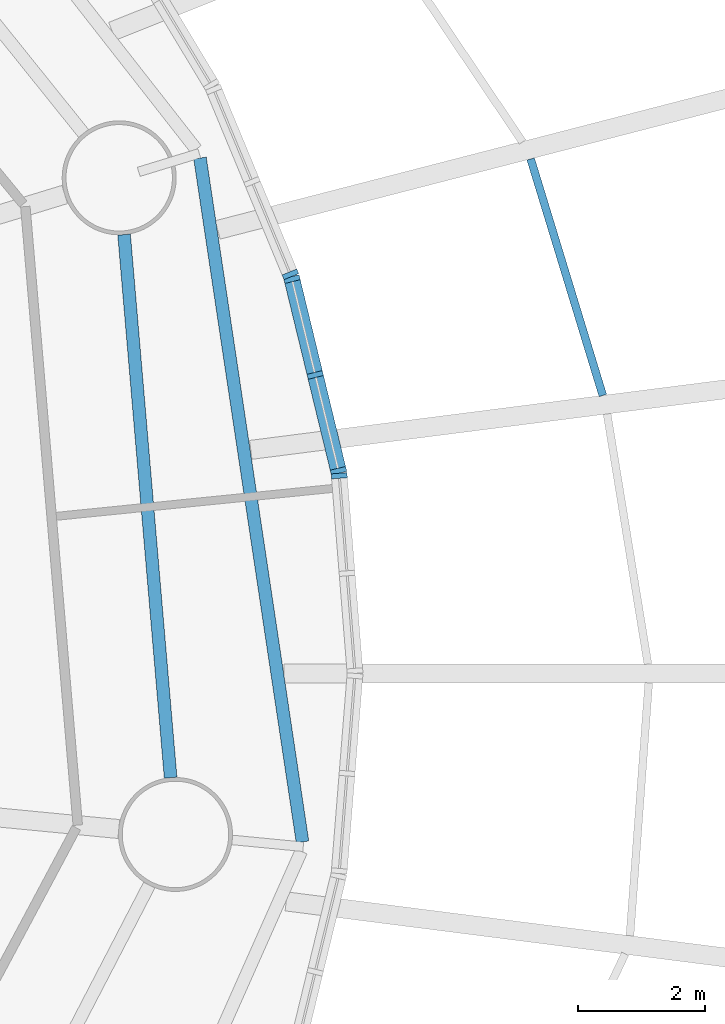
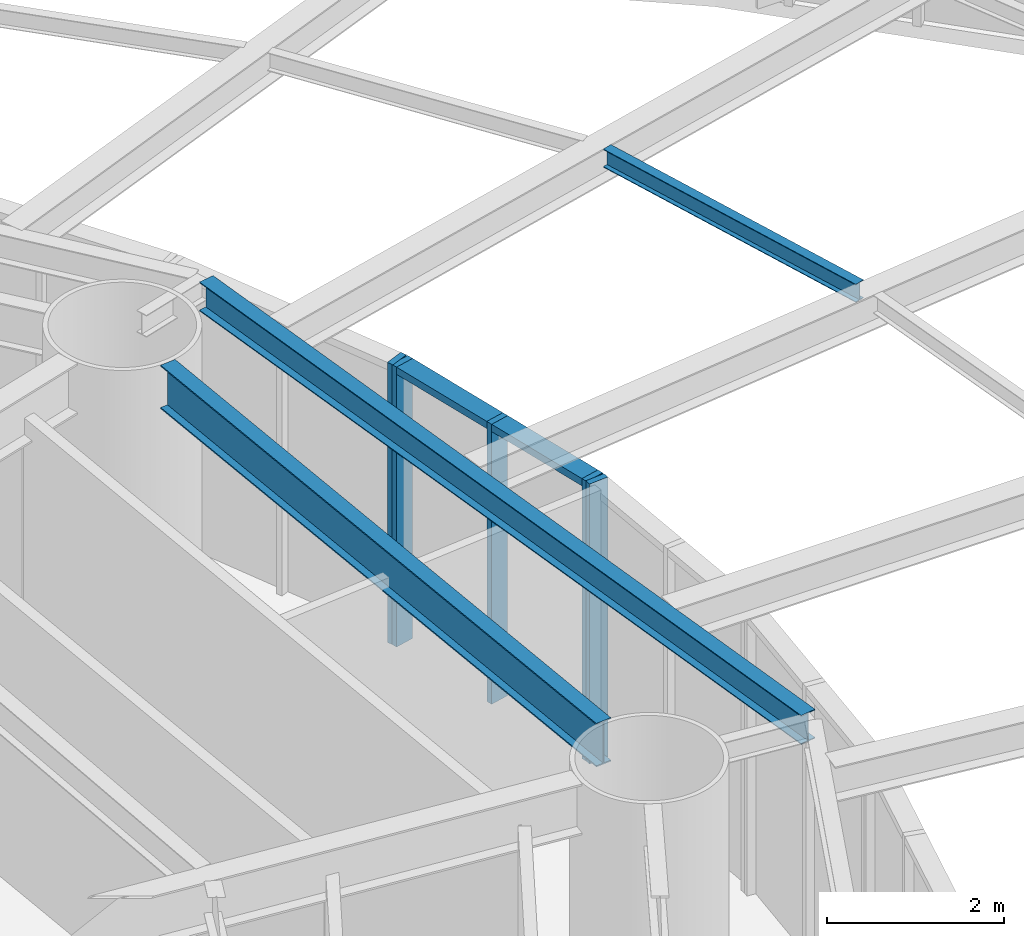
# One storey, part 7 of 23: 7 members, 3 beams, 3 elements without a shape of their own.
"""IFC4 building model written with IfcOpenShell, lengths in metres."""

import ifcopenshell
import ifcopenshell.guid

model = None  # the IFC model being written
_history = None  # IfcOwnerHistory: only IFC2X3 demands one
_inside = {}  # id of a spatial element -> (the spatial element, [elements in it])
_under = {}  # id of a project, library or spatial element -> (it, [spatial elements below it])
_declared = {}  # id of a project -> (the project, [libraries it declares])
_typed = {}  # id of a type object -> (the type object, [elements of that type])
_made_of = {}  # id of a material, layer set ... -> (it, [elements and type objects made of it])


def new_model(schema):
    """Start an empty IFC model of exactly this schema.

    Asked for "IFC4X3", IfcOpenShell would pick the latest addendum, in which some entities
    have other attributes; the version numbers below select the first issue.
    IFC2X3 requires an IfcOwnerHistory on every rooted entity: one is made here for all.
    """
    global model, _history
    if schema == "IFC4X3":
        model = ifcopenshell.file(schema_version=(4, 3, 0, 0))
    else:
        model = ifcopenshell.file(schema=schema)
    _inside.clear()
    _under.clear()
    _declared.clear()
    _typed.clear()
    _made_of.clear()
    _history = None
    if model.schema == "IFC2X3":
        org = make("IfcOrganization", Name="unknown")
        user = make(
            "IfcPersonAndOrganization",
            ThePerson=make("IfcPerson", FamilyName="unknown"),
            TheOrganization=org,
        )
        app = make(
            "IfcApplication",
            ApplicationDeveloper=org,
            Version="unknown",
            ApplicationFullName="unknown",
            ApplicationIdentifier="unknown",
        )
        _history = make(
            "IfcOwnerHistory",
            OwningUser=user,
            OwningApplication=app,
            ChangeAction="ADDED",
            CreationDate=0,
        )
    return model


def make(cls, **values):
    """One entity of the class cls with the attributes given. An attribute that is None is left unset."""
    return model.create_entity(
        cls, **{name: value for name, value in values.items() if value is not None}
    )


def rooted(cls, **values):
    """An entity with a GlobalId (a new one), such as an element, a storey or a relation."""
    return make(cls, GlobalId=ifcopenshell.guid.new(), OwnerHistory=_history, **values)


def si_unit(unit_type, name, prefix=None):
    """IfcSIUnit, for example si_unit("LENGTHUNIT", "METRE", prefix="MILLI")."""
    return make("IfcSIUnit", UnitType=unit_type, Prefix=prefix, Name=name)


def assignment(units):
    """IfcUnitAssignment: the units of a project."""
    return None if units is None else make("IfcUnitAssignment", Units=units)


def point(xyz):
    """IfcCartesianPoint."""
    return None if xyz is None else make("IfcCartesianPoint", Coordinates=xyz)


def direction(xyz):
    """IfcDirection."""
    return None if xyz is None else make("IfcDirection", DirectionRatios=xyz)


def frame(location, z_axis=None, x_axis=None):
    """IfcAxis2Placement3D, a coordinate frame: its origin and axes. An axis left out is left unset."""
    return make(
        "IfcAxis2Placement3D",
        Location=point(location),
        Axis=direction(z_axis),
        RefDirection=direction(x_axis),
    )


def frame_2d(location, x_axis=None):
    """IfcAxis2Placement2D, a coordinate frame in the plane: its origin and x axis."""
    return make(
        "IfcAxis2Placement2D", Location=point(location), RefDirection=direction(x_axis)
    )


def origin():
    """The frame at (0, 0, 0) with its axes left unset."""
    return frame((0.0, 0.0, 0.0))


def origin_2d():
    """The frame at (0, 0) in the plane with its x axis left unset."""
    return frame_2d((0.0, 0.0))


def place(relative_to, where):
    """IfcLocalPlacement: puts the frame where relative to a parent placement (None: the world)."""
    return make(
        "IfcLocalPlacement", PlacementRelTo=relative_to, RelativePlacement=where
    )


def context(
    kind, dimensions, precision=None, world=None, true_north=None, identifier=None
):
    """IfcGeometricRepresentationContext, for example the 3D "Model" context."""
    return make(
        "IfcGeometricRepresentationContext",
        ContextIdentifier=identifier,
        ContextType=kind,
        CoordinateSpaceDimension=dimensions,
        Precision=precision,
        WorldCoordinateSystem=world,
        TrueNorth=true_north,
    )


def subcontext(parent, identifier, kind, view, scale=None):
    """IfcGeometricRepresentationSubContext, for example "Body" below "Model"."""
    return make(
        "IfcGeometricRepresentationSubContext",
        ContextIdentifier=identifier,
        ContextType=kind,
        ParentContext=parent,
        TargetScale=scale,
        TargetView=view,
    )


def project(units=None, contexts=None):
    """IfcProject with its units and contexts."""
    return rooted(
        "IfcProject",
        Name="project",
        RepresentationContexts=contexts,
        UnitsInContext=assignment(units),
    )


def spatial(cls, under=None, at=None, **own):
    """A site, building, storey or space (cls), placed at a placement, below another one or the project."""
    s = rooted(cls, ObjectPlacement=at, **own)
    if under is not None:
        _under.setdefault(under.id(), (under, []))[1].append(s)
    return s


def profile(cls, at=None, kind="AREA", **sizes):
    """A parametric profile (cls). Its sizes go by their IFC names, for example OverallWidth=200.0."""
    return make(cls, ProfileType=kind, Position=at, **sizes)


def rectangle(**sizes):
    """IfcRectangleProfileDef."""
    return profile("IfcRectangleProfileDef", **sizes)


def i_section(**sizes):
    """IfcIShapeProfileDef."""
    return profile("IfcIShapeProfileDef", **sizes)


def extrude(swept, where, along, depth):
    """IfcExtrudedAreaSolid: the profile swept, set in the frame where, extruded along a direction by depth."""
    return make(
        "IfcExtrudedAreaSolid",
        SweptArea=swept,
        Position=where,
        ExtrudedDirection=direction(along),
        Depth=depth,
    )


def shape(context_of_items, identifier, shape_type, items):
    """IfcShapeRepresentation: the items that make up one representation, for example the "Body"."""
    return make(
        "IfcShapeRepresentation",
        ContextOfItems=context_of_items,
        RepresentationIdentifier=identifier,
        RepresentationType=shape_type,
        Items=items,
    )


def material(Name=None, Category=None):
    """IfcMaterial."""
    return make("IfcMaterial", Name=Name, Category=Category)


def material_profile(
    of_material, cross_section, Name=None, Category=None, Priority=None
):
    """IfcMaterialProfile: a cross section and its material."""
    return make(
        "IfcMaterialProfile",
        Name=Name,
        Material=of_material,
        Profile=cross_section,
        Priority=Priority,
        Category=Category,
    )


def profile_set(profiles, Name=None, composite=None):
    """IfcMaterialProfileSet."""
    return make(
        "IfcMaterialProfileSet",
        Name=Name,
        MaterialProfiles=profiles,
        CompositeProfile=composite,
    )


def made_of(thing, what):
    """Note that an element or type object is made of a material, layer set ...; save() writes the relation."""
    if what is not None:
        _made_of.setdefault(what.id(), (what, []))[1].append(thing)
    return thing


def type_object(cls, material=None, **own):
    """A type object (cls), such as IfcWallType, which elements share."""
    return made_of(rooted(cls, **own), material)


def element(
    cls,
    number,
    at=None,
    inside=None,
    cuts=None,
    type_object=None,
    material=None,
    context=None,
    identifier="Body",
    shape_type=None,
    held_by="IfcProductDefinitionShape",
    body=None,
    shapes=None,
    **own,
):
    """One element of the class cls, such as IfcWall. Its Tag is "e" and its number.

    at: its placement. inside: the storey or other place that contains it. cuts: it is an
    opening in that element (IfcRelVoidsElement). A single representation is given by context,
    identifier, shape_type and body (its items); several are given by shapes. held_by: the class
    of the entity that holds the representations. save() writes the other relations.
    """
    e = rooted(cls, Tag="e%d" % number, ObjectPlacement=at, **own)
    if body is not None:
        shapes = [shape(context, identifier, shape_type, body)]
    if shapes is not None:
        e.Representation = make(held_by, Representations=shapes)
    if inside is not None:
        _inside.setdefault(inside.id(), (inside, []))[1].append(e)
    if cuts is not None:
        rooted(
            "IfcRelVoidsElement", RelatingBuildingElement=cuts, RelatedOpeningElement=e
        )
    if type_object is not None:
        _typed.setdefault(type_object.id(), (type_object, []))[1].append(e)
    return made_of(e, material)


def aggregate(whole, parts):
    """IfcRelAggregates: a whole, such as a stair, and the parts it consists of."""
    return rooted("IfcRelAggregates", RelatingObject=whole, RelatedObjects=parts)


def save(model, path):
    """Write the relations noted so far, then the file.

    IfcRelAggregates (storeys below a building ...), IfcRelContainedInSpatialStructure (elements
    in a storey), IfcRelDefinesByType, IfcRelAssociatesMaterial and IfcRelDeclares: one each for
    every whole, place, type object, material and project.
    """
    for whole, parts in _under.values():
        aggregate(whole, parts)
    for where, things in _inside.values():
        rooted(
            "IfcRelContainedInSpatialStructure",
            RelatedElements=things,
            RelatingStructure=where,
        )
    for kind, things in _typed.values():
        rooted("IfcRelDefinesByType", RelatedObjects=things, RelatingType=kind)
    for what, things in _made_of.values():
        rooted("IfcRelAssociatesMaterial", RelatedObjects=things, RelatingMaterial=what)
    for by, libraries in _declared.values():
        rooted("IfcRelDeclares", RelatingContext=by, RelatedDefinitions=libraries)
    model.write(path)


model = new_model("IFC4")

# Units and contexts
model_context = context("Model", 3, precision=1e-05, world=origin(), true_north=direction((0.0, 1.0)))
body_context = subcontext(model_context, "Body", "Model", "MODEL_VIEW")
ifc_project = project(units=[si_unit("LENGTHUNIT", "METRE"), si_unit("AREAUNIT", "SQUARE_METRE"), si_unit("VOLUMEUNIT", "CUBIC_METRE"), si_unit("PLANEANGLEUNIT", "RADIAN"), si_unit("MASSUNIT", "GRAM", prefix="KILO")], contexts=[model_context])

# Site, building, storey
site_placement = place(None, origin())
site = spatial("IfcSite", under=ifc_project, at=site_placement, CompositionType="ELEMENT")
building_placement = place(site_placement, origin())
building = spatial("IfcBuilding", under=site, at=building_placement, Name="Vermilion Reach Broadcast Tower", CompositionType="ELEMENT")
storey_placement = place(building_placement, frame((0.0, 0.0, 31.5)))
storey = spatial("IfcBuildingStorey", under=building, at=storey_placement, Name="L04", CompositionType="ELEMENT", Elevation=31.5)

# Curtain wall, member
ifc_material_1 = material(Name="Low-e laminated clear glass in aluminium frame", Category="aluminium")
curtain_wall_type = type_object("IfcCurtainWallType", Name="Drum wall curtain wall", PredefinedType="NOTDEFINED", material=ifc_material_1)
placement = place(storey_placement, origin())
curtain_wall_1 = element("IfcCurtainWall", 1, at=placement, inside=storey, type_object=curtain_wall_type, Name="Drum wall L04 06", PredefinedType="NOTDEFINED")
ifc_material_2 = material(Name="Anodised aluminium", Category="aluminium")
ifc_material_profile_1 = material_profile(ifc_material_2, rectangle(XDim=0.25, YDim=0.080078125, at=origin_2d()), Name="Drum wall mullion 80 x 250")
ifc_profile_set_1 = profile_set([ifc_material_profile_1], Name="Anodised aluminium")
member_type_1 = type_object("IfcMemberType", Name="Drum wall mullion 80 x 250", PredefinedType="MULLION", material=ifc_profile_set_1)
member_1_placement = place(storey_placement, frame((22.2783203125, 6.300537109375, 0.0), z_axis=(0.0, 0.0, 1.0), x_axis=(0.92387542808, 0.382693341189, 0.0)))
member_1 = element("IfcMember", 2, at=member_1_placement, type_object=member_type_1, Name="Drum wall mullion L04 06.3", PredefinedType="MULLION", context=body_context, shape_type="SweptSolid", body=[
    extrude(rectangle(XDim=0.25, YDim=0.080078125, at=origin_2d()), origin(), (0.0, 0.0, 1.0), 3.862060546875),
])
aggregate(curtain_wall_1, [member_1])

# Curtain wall, members
curtain_wall_2 = element("IfcCurtainWall", 3, at=placement, inside=storey, type_object=curtain_wall_type, Name="Drum wall L04 07", PredefinedType="NOTDEFINED")
member_2_placement = place(storey_placement, frame((22.302978515625, 6.224609375, 0.0), z_axis=(0.0, 0.0, 1.0), x_axis=(0.971782962258, 0.235876820108, 0.0)))
member_2 = element("IfcMember", 4, at=member_2_placement, type_object=member_type_1, Name="Drum wall mullion L04 07.1", PredefinedType="MULLION", context=body_context, shape_type="SweptSolid", body=[
    extrude(rectangle(XDim=0.25, YDim=0.080078125, at=origin_2d()), origin(), (0.0, 0.0, 1.0), 3.862060546875),
])
member_3_placement = place(storey_placement, frame((22.670166015625, 4.711669921875, 0.0), z_axis=(0.0, 0.0, 1.0), x_axis=(0.971782962258, 0.235876820108, 0.0)))
member_3 = element("IfcMember", 5, at=member_3_placement, type_object=member_type_1, Name="Drum wall mullion L04 07.2", PredefinedType="MULLION", context=body_context, shape_type="SweptSolid", body=[
    extrude(rectangle(XDim=0.25, YDim=0.080078125, at=origin_2d()), origin(), (0.0, 0.0, 1.0), 3.862060546875),
])
member_4_placement = place(storey_placement, frame((23.03759765625, 3.198486328125, 0.0), z_axis=(0.0, 0.0, 1.0), x_axis=(0.971782962258, 0.235876820108, 0.0)))
member_4 = element("IfcMember", 6, at=member_4_placement, type_object=member_type_1, Name="Drum wall mullion L04 07.3", PredefinedType="MULLION", context=body_context, shape_type="SweptSolid", body=[
    extrude(rectangle(XDim=0.25, YDim=0.080078125, at=origin_2d()), origin(), (0.0, 0.0, 1.0), 3.862060546875),
])

# Curtain wall, member
curtain_wall_3 = element("IfcCurtainWall", 7, at=placement, inside=storey, type_object=curtain_wall_type, Name="Drum wall L04 08", PredefinedType="NOTDEFINED")
member_5_placement = place(storey_placement, frame((23.050048828125, 3.119873046875, 0.0), z_axis=(0.0, 0.0, 1.0), x_axis=(0.99681683836, 0.079725722082, 0.0)))
member_5 = element("IfcMember", 8, at=member_5_placement, type_object=member_type_1, Name="Drum wall mullion L04 08.1", PredefinedType="MULLION", context=body_context, shape_type="SweptSolid", body=[
    extrude(rectangle(XDim=0.25, YDim=0.080078125, at=origin_2d()), origin(), (0.0, 0.0, 1.0), 3.862060546875),
])
aggregate(curtain_wall_3, [member_5])

# Member
ifc_material_3 = material(Name="Anodised aluminium", Category="aluminium")
ifc_material_profile_2 = material_profile(ifc_material_3, rectangle(XDim=0.25, YDim=0.10009765625, at=origin_2d()), Name="Drum wall transom 250 x 100")
ifc_profile_set_2 = profile_set([ifc_material_profile_2], Name="Anodised aluminium")
member_type_2 = type_object("IfcMemberType", Name="Drum wall transom 250 x 100", PredefinedType="USERDEFINED", material=ifc_profile_set_2)
member_6_placement = place(storey_placement, frame((22.3125, 6.185791015625, 3.81201171875), z_axis=(0.235879143138, -0.971782398396, 0.0), x_axis=(0.971782398396, 0.235879143138, 0.0)))
member_6 = element("IfcMember", 9, at=member_6_placement, type_object=member_type_2, Name="Drum wall transom L04 07.1.2", ObjectType="TRANSOM", PredefinedType="USERDEFINED", context=body_context, shape_type="SweptSolid", body=[
    extrude(rectangle(XDim=0.25, YDim=0.10009765625, at=origin_2d()), origin(), (0.0, 0.0, 1.0), 1.47705078125),
])

member_7_placement = place(storey_placement, frame((22.6796875, 4.6728515625, 3.81201171875), z_axis=(0.235879143138, -0.971782398396, 0.0), x_axis=(0.971782398396, 0.235879143138, 0.0)))
member_7 = element("IfcMember", 10, at=member_7_placement, type_object=member_type_2, Name="Drum wall transom L04 07.2.2", ObjectType="TRANSOM", PredefinedType="USERDEFINED", context=body_context, shape_type="SweptSolid", body=[
    extrude(rectangle(XDim=0.25, YDim=0.10009765625, at=origin_2d()), origin(), (0.0, 0.0, 1.0), 1.47705078125),
])

aggregate(curtain_wall_2, [member_2, member_3, member_4, member_6, member_7])

# Beams
ifc_material_4 = material(Name="Steel S355J2", Category="steel")
ifc_material_profile_3 = material_profile(ifc_material_4, i_section(OverallWidth=0.199951171875, OverallDepth=0.39990234375, WebThickness=0.008056640625, FlangeThickness=0.012939453125, at=origin_2d()), Name="S355J2 HN 400x200x8x13")
ifc_profile_set_3 = profile_set([ifc_material_profile_3], Name="Steel S355J2")
beam_type_1 = type_object("IfcBeamType", Name="EB1 HN 400x200x8x13", PredefinedType="BEAM", material=ifc_profile_set_3)
beam_1_placement = place(storey_placement, frame((22.469482421875, -2.660888671875, 4.14990234375), z_axis=(-0.148264998738, 0.988947668054, 0.0), x_axis=(-0.988947668054, -0.148264998738, 0.0)))
element("IfcBeam", 11, at=beam_1_placement, inside=storey, type_object=beam_type_1, Name="Edge beam EB1-16", PredefinedType="BEAM", context=body_context, shape_type="SweptSolid", body=[
    extrude(i_section(OverallWidth=0.199951171875, OverallDepth=0.39990234375, WebThickness=0.008056640625, FlangeThickness=0.012939453125, at=origin_2d()), origin(), (0.0, 0.0, 1.0), 10.917236328125),
])
ifc_material_5 = material(Name="Steel S355J2", Category="steel")
ifc_material_profile_4 = material_profile(ifc_material_5, i_section(OverallWidth=0.125, OverallDepth=0.25, WebThickness=0.006103515625, FlangeThickness=0.009033203125, at=origin_2d()), Name="S355J2 HN 250x125x6x9")
ifc_profile_set_4 = profile_set([ifc_material_profile_4], Name="Steel S355J2")
beam_type_2 = type_object("IfcBeamType", Name="PU1 HN 250x125x6x9", PredefinedType="JOIST", material=ifc_profile_set_4)
beam_2_placement = place(storey_placement, frame((27.2109375, 4.38720703125, 4.22509765625), z_axis=(-0.29175622579, 0.956492710225, 0.0), x_axis=(-0.956492710225, -0.29175622579, 0.0)))
element("IfcBeam", 12, at=beam_2_placement, inside=storey, type_object=beam_type_2, Name="Atrium purlin PU1-09-1", PredefinedType="JOIST", context=body_context, shape_type="SweptSolid", body=[
    extrude(i_section(OverallWidth=0.125, OverallDepth=0.25, WebThickness=0.006103515625, FlangeThickness=0.009033203125, at=origin_2d()), origin(), (0.0, 0.0, 1.0), 3.904541015625),
])
ifc_material_6 = material(Name="Steel S355J2", Category="steel")
ifc_material_profile_5 = material_profile(ifc_material_6, i_section(OverallWidth=0.199951171875, OverallDepth=0.60009765625, WebThickness=0.010986328125, FlangeThickness=0.01708984375, at=origin_2d()), Name="S355J2 HN 600x200x11x17")
ifc_profile_set_5 = profile_set([ifc_material_profile_5], Name="Steel S355J2")
beam_type_3 = type_object("IfcBeamType", Name="RB1 HN 600x200x11x17", PredefinedType="BEAM", material=ifc_profile_set_5)
beam_3_placement = place(storey_placement, frame((20.38720703125, -1.646728515625, 4.050048828125), z_axis=(-0.085395508608, 0.996347131832, 0.0), x_axis=(-0.996347131832, -0.085395508608, 0.0)))
element("IfcBeam", 13, at=beam_3_placement, inside=storey, type_object=beam_type_3, Name="Ring beam RB1-16", PredefinedType="BEAM", context=body_context, shape_type="SweptSolid", body=[
    extrude(i_section(OverallWidth=0.199951171875, OverallDepth=0.60009765625, WebThickness=0.010986328125, FlangeThickness=0.01708984375, at=origin_2d()), origin(), (0.0, 0.0, 1.0), 8.60546875),
])

save(model, "model.ifc")
